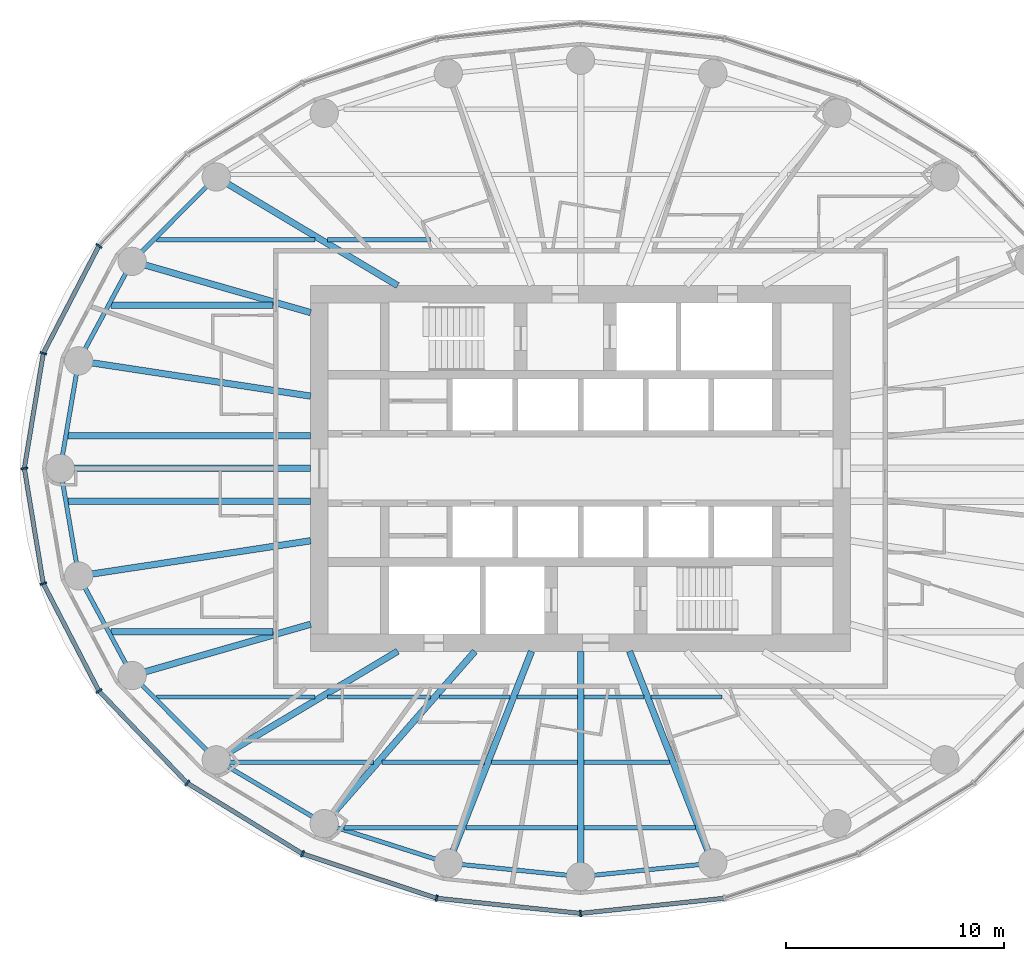
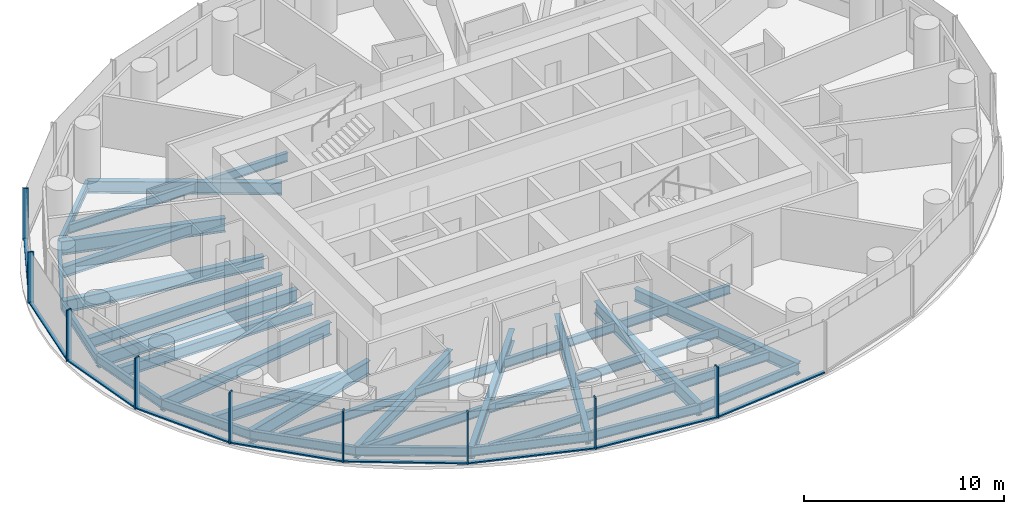
# One storey, part 2 of 13: 40 beams, 18 members, 3 elements without a shape of their own.
"""IFC4 building model written with IfcOpenShell, lengths in metres."""

from ifc_helpers import new_model, si_unit, direction, frame, origin, origin_2d, place, context, subcontext, project, spatial, rectangle, i_section, extrude, material, material_profile, profile_set, type_object, element, aggregate, save


model = new_model("IFC4")

# Units and contexts
model_context = context("Model", 3, precision=1e-05, world=origin(), true_north=direction((0.0, 1.0)))
body_context = subcontext(model_context, "Body", "Model", "MODEL_VIEW")
ifc_project = project(units=[si_unit("LENGTHUNIT", "METRE"), si_unit("AREAUNIT", "SQUARE_METRE"), si_unit("VOLUMEUNIT", "CUBIC_METRE"), si_unit("PLANEANGLEUNIT", "RADIAN"), si_unit("MASSUNIT", "GRAM", prefix="KILO")], contexts=[model_context])

# Site, building, storey
site_placement = place(None, origin())
site = spatial("IfcSite", under=ifc_project, at=site_placement, CompositionType="ELEMENT")
building_placement = place(site_placement, origin())
building = spatial("IfcBuilding", under=site, at=building_placement, Name="Hankou Lantern Tower", CompositionType="ELEMENT")
storey_placement = place(building_placement, frame((0.0, 0.0, 118.800048828125)))
storey = spatial("IfcBuildingStorey", under=building, at=storey_placement, Name="L30", CompositionType="ELEMENT", Elevation=118.800048828125)

# Beams
ifc_material_1 = material(Name="Steel Q355B", Category="steel")
ifc_material_profile_1 = material_profile(ifc_material_1, i_section(OverallWidth=0.199951171875, OverallDepth=0.550048828125, WebThickness=0.010009765625, FlangeThickness=0.01611328125, FilletRadius=0.012939453125, at=origin_2d()), Name="HN550x200x10x16")
ifc_profile_set_1 = profile_set([ifc_material_profile_1], Name="Steel Q355B")
beam_type_1 = type_object("IfcBeamType", Name="EB6 RING BEAM HN550x200x10x16", PredefinedType="SPANDREL", material=ifc_profile_set_1)
beam_1_placement = place(storey_placement, frame((-16.73388671875, 13.38720703125, -0.455078125), z_axis=(-0.705945468625, -0.708266189599, 0.0), x_axis=(0.708266189599, -0.705945468625, 0.0)))
element("IfcBeam", 1, at=beam_1_placement, inside=storey, type_object=beam_type_1, Name="Ring beam R10-R11 L30", PredefinedType="SPANDREL", context=body_context, shape_type="SweptSolid", body=[
    extrude(i_section(OverallWidth=0.199951171875, OverallDepth=0.550048828125, WebThickness=0.010009765625, FlangeThickness=0.01611328125, FilletRadius=0.012939453125, at=origin_2d()), origin(), (0.0, 0.0, 1.0), 5.470458984375),
])
beam_2_placement = place(storey_placement, frame((-20.595703125, 9.5126953125, -0.455078125), z_axis=(-0.473824901673, -0.880619079145, 0.0), x_axis=(0.880619079145, -0.473824901673, 0.0)))
element("IfcBeam", 2, at=beam_2_placement, inside=storey, type_object=beam_type_1, Name="Ring beam R11-R12 L30", PredefinedType="SPANDREL", context=body_context, shape_type="SweptSolid", body=[
    extrude(i_section(OverallWidth=0.199951171875, OverallDepth=0.550048828125, WebThickness=0.010009765625, FlangeThickness=0.01611328125, FilletRadius=0.012939453125, at=origin_2d()), origin(), (0.0, 0.0, 1.0), 5.190185546875),
])
for number, where, z_axis, x_axis, name in (
    (3, (-23.054931640625, 4.942138671875, -0.455078125), (-0.168527258545, -0.985696993567, 0.0), (0.985696993567, -0.168527258545, 0.0), "Ring beam R12-R13 L30"),
    (4, (-23.89990234375, 0.0, -0.455078125), (0.168527258545, -0.985696993567, 0.0), (0.985696993567, 0.168527258545, 0.0), "Ring beam R13-R14 L30"),
):
    element("IfcBeam", number, at=place(storey_placement, frame(where, z_axis=z_axis, x_axis=x_axis)), inside=storey, type_object=beam_type_1, Name=name, PredefinedType="SPANDREL", context=body_context, shape_type="SweptSolid", body=[
        extrude(i_section(OverallWidth=0.199951171875, OverallDepth=0.550048828125, WebThickness=0.010009765625, FlangeThickness=0.01611328125, FilletRadius=0.012939453125, at=origin_2d()), origin(), (0.0, 0.0, 1.0), 5.013916015625),
    ])
beam_3_placement = place(storey_placement, frame((-23.054931640625, -4.942138671875, -0.455078125), z_axis=(0.473824901673, -0.880619079145, 0.0), x_axis=(0.880619079145, 0.473824901673, 0.0)))
element("IfcBeam", 5, at=beam_3_placement, inside=storey, type_object=beam_type_1, Name="Ring beam R14-R15 L30", PredefinedType="SPANDREL", context=body_context, shape_type="SweptSolid", body=[
    extrude(i_section(OverallWidth=0.199951171875, OverallDepth=0.550048828125, WebThickness=0.010009765625, FlangeThickness=0.01611328125, FilletRadius=0.012939453125, at=origin_2d()), origin(), (0.0, 0.0, 1.0), 5.190185546875),
])
beam_4_placement = place(storey_placement, frame((-20.595703125, -9.5126953125, -0.455078125), z_axis=(0.705945468625, -0.708266189599, 0.0), x_axis=(0.708266189599, 0.705945468625, 0.0)))
element("IfcBeam", 6, at=beam_4_placement, inside=storey, type_object=beam_type_1, Name="Ring beam R15-R16 L30", PredefinedType="SPANDREL", context=body_context, shape_type="SweptSolid", body=[
    extrude(i_section(OverallWidth=0.199951171875, OverallDepth=0.550048828125, WebThickness=0.010009765625, FlangeThickness=0.01611328125, FilletRadius=0.012939453125, at=origin_2d()), origin(), (0.0, 0.0, 1.0), 5.470458984375),
])
beam_5_placement = place(storey_placement, frame((-16.73388671875, -13.38720703125, -0.455078125), z_axis=(0.860988974188, -0.508623619513, 0.0), x_axis=(0.508623619513, 0.860988974188, 0.0)))
element("IfcBeam", 7, at=beam_5_placement, inside=storey, type_object=beam_type_1, Name="Ring beam R16-R17 L30", PredefinedType="SPANDREL", context=body_context, shape_type="SweptSolid", body=[
    extrude(i_section(OverallWidth=0.199951171875, OverallDepth=0.550048828125, WebThickness=0.010009765625, FlangeThickness=0.01611328125, FilletRadius=0.012939453125, at=origin_2d()), origin(), (0.0, 0.0, 1.0), 5.759033203125),
])
beam_6_placement = place(storey_placement, frame((-11.775390625, -16.31640625, -0.455078125), z_axis=(0.952731090451, -0.303814860215, 0.0), x_axis=(0.303814860215, 0.952731090451, 0.0)))
element("IfcBeam", 8, at=beam_6_placement, inside=storey, type_object=beam_type_1, Name="Ring beam R17-R18 L30", PredefinedType="SPANDREL", context=body_context, shape_type="SweptSolid", body=[
    extrude(i_section(OverallWidth=0.199951171875, OverallDepth=0.550048828125, WebThickness=0.010009765625, FlangeThickness=0.01611328125, FilletRadius=0.012939453125, at=origin_2d()), origin(), (0.0, 0.0, 1.0), 5.984375),
])
for number, where, z_axis, x_axis, name in (
    (9, (-6.073974609375, -18.134521484375, -0.455078125), (0.994905271594, -0.100814188259, 0.0), (0.100814188259, 0.994905271594, 0.0), "Ring beam R18-R19 L30"),
    (10, (0.0, -18.75, -0.455078125), (0.994905271594, 0.100814188259, 0.0), (-0.100814188259, 0.994905271594, 0.0), "Ring beam R19-R20 L30"),
):
    element("IfcBeam", number, at=place(storey_placement, frame(where, z_axis=z_axis, x_axis=x_axis)), inside=storey, type_object=beam_type_1, Name=name, PredefinedType="SPANDREL", context=body_context, shape_type="SweptSolid", body=[
        extrude(i_section(OverallWidth=0.199951171875, OverallDepth=0.550048828125, WebThickness=0.010009765625, FlangeThickness=0.01611328125, FilletRadius=0.012939453125, at=origin_2d()), origin(), (0.0, 0.0, 1.0), 6.10498046875),
    ])

# Curtain wall, members
ifc_material_2 = material(Name="Glass, dark grey tinted laminated", Category="glass")
curtain_wall_type = type_object("IfcCurtainWallType", Name="CWB OUTER SKIN MID-RISE", PredefinedType="USERDEFINED", material=ifc_material_2)
curtain_wall_1_placement = place(storey_placement, origin())
curtain_wall_1 = element("IfcCurtainWall", 11, at=curtain_wall_1_placement, inside=storey, type_object=curtain_wall_type, Name="CWB L30 OS2", ObjectType="OUTER SKIN MID-RISE", PredefinedType="USERDEFINED")
ifc_material_3 = material(Name="Aluminium, black anodised", Category="aluminium")
ifc_material_profile_2 = material_profile(ifc_material_3, rectangle(XDim=0.080078125, YDim=0.300048828125, at=origin_2d()), Name="MU1 80X300")
ifc_profile_set_2 = profile_set([ifc_material_profile_2], Name="Aluminium, black anodised")
member_type_1 = type_object("IfcMemberType", Name="MU1 OUTER SKIN MULLION 80X300", PredefinedType="MULLION", material=ifc_profile_set_2)
member_1_placement = place(storey_placement, frame((-22.126953125, 10.219970703125, 0.0), z_axis=(0.0, 0.0, 1.0), x_axis=(-0.585205735974, -0.810884854084, 0.0)))
member_1 = element("IfcMember", 12, at=member_1_placement, type_object=member_type_1, Name="CWB mullion 5", PredefinedType="MULLION", context=body_context, shape_type="SweptSolid", body=[
    extrude(rectangle(XDim=0.080078125, YDim=0.300048828125, at=origin_2d()), origin(), (0.0, 0.0, 1.0), 3.119873046875),
])
member_2_placement = place(storey_placement, frame((-24.679443359375, 5.290283203125, 0.0), z_axis=(0.0, 0.0, 1.0), x_axis=(-0.317595577365, -0.94822626479, 0.0)))
member_2 = element("IfcMember", 13, at=member_2_placement, type_object=member_type_1, Name="CWB mullion 6", PredefinedType="MULLION", context=body_context, shape_type="SweptSolid", body=[
    extrude(rectangle(XDim=0.080078125, YDim=0.300048828125, at=origin_2d()), origin(), (0.0, 0.0, 1.0), 3.119873046875),
])

curtain_wall_2_placement = place(storey_placement, origin())
curtain_wall_2 = element("IfcCurtainWall", 14, at=curtain_wall_2_placement, inside=storey, type_object=curtain_wall_type, Name="CWB L30 OS3", ObjectType="OUTER SKIN MID-RISE", PredefinedType="USERDEFINED")
member_3_placement = place(storey_placement, frame((-25.550048828125, 0.0, 0.0), z_axis=(0.0, 0.0, 1.0), x_axis=(0.162381515188, -0.986728049427, 0.0)))
member_3 = element("IfcMember", 15, at=member_3_placement, type_object=member_type_1, Name="CWB mullion 1", PredefinedType="MULLION", context=body_context, shape_type="SweptSolid", body=[
    extrude(rectangle(XDim=0.080078125, YDim=0.300048828125, at=origin_2d()), origin(), (0.0, 0.0, 1.0), 3.119873046875),
])
member_4_placement = place(storey_placement, frame((-24.679443359375, -5.290283203125, 0.0), z_axis=(0.0, 0.0, 1.0), x_axis=(0.317595577365, -0.94822626479, 0.0)))
member_4 = element("IfcMember", 16, at=member_4_placement, type_object=member_type_1, Name="CWB mullion 2", PredefinedType="MULLION", context=body_context, shape_type="SweptSolid", body=[
    extrude(rectangle(XDim=0.080078125, YDim=0.300048828125, at=origin_2d()), origin(), (0.0, 0.0, 1.0), 3.119873046875),
])
member_5_placement = place(storey_placement, frame((-22.126953125, -10.219970703125, 0.0), z_axis=(0.0, 0.0, 1.0), x_axis=(0.585205735974, -0.810884854084, 0.0)))
member_5 = element("IfcMember", 17, at=member_5_placement, type_object=member_type_1, Name="CWB mullion 3", PredefinedType="MULLION", context=body_context, shape_type="SweptSolid", body=[
    extrude(rectangle(XDim=0.080078125, YDim=0.300048828125, at=origin_2d()), origin(), (0.0, 0.0, 1.0), 3.119873046875),
])
member_6_placement = place(storey_placement, frame((-18.066650390625, -14.453369140625, 0.0), z_axis=(0.0, 0.0, 1.0), x_axis=(0.780868809444, -0.624695047553, 0.0)))
member_6 = element("IfcMember", 18, at=member_6_placement, type_object=member_type_1, Name="CWB mullion 4", PredefinedType="MULLION", context=body_context, shape_type="SweptSolid", body=[
    extrude(rectangle(XDim=0.080078125, YDim=0.300048828125, at=origin_2d()), origin(), (0.0, 0.0, 1.0), 3.119873046875),
])
member_7_placement = place(storey_placement, frame((-12.77490234375, -17.70166015625, 0.0), z_axis=(0.0, 0.0, 1.0), x_axis=(0.907841299004, -0.419313934686, 0.0)))
member_7 = element("IfcMember", 19, at=member_7_placement, type_object=member_type_1, Name="CWB mullion 5", PredefinedType="MULLION", context=body_context, shape_type="SweptSolid", body=[
    extrude(rectangle(XDim=0.080078125, YDim=0.300048828125, at=origin_2d()), origin(), (0.0, 0.0, 1.0), 3.119873046875),
])
member_8_placement = place(storey_placement, frame((-6.61279296875, -19.743408203125, 0.0), z_axis=(0.0, 0.0, 1.0), x_axis=(0.977787659625, -0.209597931016, 0.0)))
member_8 = element("IfcMember", 20, at=member_8_placement, type_object=member_type_1, Name="CWB mullion 6", PredefinedType="MULLION", context=body_context, shape_type="SweptSolid", body=[
    extrude(rectangle(XDim=0.080078125, YDim=0.300048828125, at=origin_2d()), origin(), (0.0, 0.0, 1.0), 3.119873046875),
])

# Curtain wall, member
curtain_wall_3_placement = place(storey_placement, origin())
curtain_wall_3 = element("IfcCurtainWall", 21, at=curtain_wall_3_placement, inside=storey, type_object=curtain_wall_type, Name="CWB L30 OS4", ObjectType="OUTER SKIN MID-RISE", PredefinedType="USERDEFINED")
member_9_placement = place(storey_placement, frame((0.0, -20.43994140625, 0.0), z_axis=(0.0, 0.0, 1.0), x_axis=(0.994499359107, 0.104742659579, 0.0)))
member_9 = element("IfcMember", 22, at=member_9_placement, type_object=member_type_1, Name="CWB mullion 1", PredefinedType="MULLION", context=body_context, shape_type="SweptSolid", body=[
    extrude(rectangle(XDim=0.080078125, YDim=0.300048828125, at=origin_2d()), origin(), (0.0, 0.0, 1.0), 3.119873046875),
])

# Beams
ifc_material_4 = material(Name="Steel Q355B", Category="steel")
ifc_material_profile_3 = material_profile(ifc_material_4, i_section(OverallWidth=0.300048828125, OverallDepth=0.75, WebThickness=0.012939453125, FlangeThickness=0.02392578125, FilletRadius=0.01806640625, at=origin_2d()), Name="HN750x300x13x24")
ifc_profile_set_3 = profile_set([ifc_material_profile_3], Name="Steel Q355B")
beam_type_2 = type_object("IfcBeamType", Name="RB10 RADIAL BEAM HN750x300x13x24", PredefinedType="BEAM", material=ifc_profile_set_3)
beam_7_placement = place(storey_placement, frame((-8.39990234375, 8.39990234375, -0.554931640625), z_axis=(-0.858086776551, 0.513504706802, 0.0), x_axis=(-0.513504706802, -0.858086776551, 0.0)))
element("IfcBeam", 23, at=beam_7_placement, inside=storey, type_object=beam_type_2, Name="Radial beam R10 L30", PredefinedType="BEAM", context=body_context, shape_type="SweptSolid", body=[
    extrude(i_section(OverallWidth=0.300048828125, OverallDepth=0.75, WebThickness=0.012939453125, FlangeThickness=0.02392578125, FilletRadius=0.01806640625, at=origin_2d()), origin(), (0.0, 0.0, 1.0), 9.71240234375),
])
for number, where, z_axis, x_axis, name in (
    (24, (-12.39990234375, 3.322509765625, -0.554931640625), (-0.988643506875, 0.150279793429, 0.0), (-0.150279793429, -0.988643506875, 0.0), "Radial beam R12 L30"),
    (25, (-12.39990234375, -3.322509765625, -0.554931640625), (-0.988643506875, -0.150279793429, 0.0), (0.150279793429, -0.988643506875, 0.0), "Radial beam R14 L30"),
):
    element("IfcBeam", number, at=place(storey_placement, frame(where, z_axis=z_axis, x_axis=x_axis)), inside=storey, type_object=beam_type_2, Name=name, PredefinedType="BEAM", context=body_context, shape_type="SweptSolid", body=[
        extrude(i_section(OverallWidth=0.300048828125, OverallDepth=0.75, WebThickness=0.012939453125, FlangeThickness=0.02392578125, FilletRadius=0.01806640625, at=origin_2d()), origin(), (0.0, 0.0, 1.0), 10.77734375),
    ])
beam_8_placement = place(storey_placement, frame((-8.39990234375, -8.39990234375, -0.554931640625), z_axis=(-0.858086776551, -0.513504706802, 0.0), x_axis=(0.513504706802, -0.858086776551, 0.0)))
element("IfcBeam", 26, at=beam_8_placement, inside=storey, type_object=beam_type_2, Name="Radial beam R16 L30", PredefinedType="BEAM", context=body_context, shape_type="SweptSolid", body=[
    extrude(i_section(OverallWidth=0.300048828125, OverallDepth=0.75, WebThickness=0.012939453125, FlangeThickness=0.02392578125, FilletRadius=0.01806640625, at=origin_2d()), origin(), (0.0, 0.0, 1.0), 9.71240234375),
])
beam_9_placement = place(storey_placement, frame((-4.849853515625, -8.39990234375, -0.554931640625), z_axis=(-0.658429014446, -0.752642832249, 0.0), x_axis=(0.752642832249, -0.658429014446, 0.0)))
element("IfcBeam", 27, at=beam_9_placement, inside=storey, type_object=beam_type_2, Name="Radial beam R17 L30", PredefinedType="BEAM", context=body_context, shape_type="SweptSolid", body=[
    extrude(i_section(OverallWidth=0.300048828125, OverallDepth=0.75, WebThickness=0.012939453125, FlangeThickness=0.02392578125, FilletRadius=0.01806640625, at=origin_2d()), origin(), (0.0, 0.0, 1.0), 10.518310546875),
])
beam_10_placement = place(storey_placement, frame((-2.250732421875, -8.39990234375, -0.554931640625), z_axis=(-0.365563535437, -0.930786388791, 0.0), x_axis=(0.930786388791, -0.365563535437, 0.0)))
element("IfcBeam", 28, at=beam_10_placement, inside=storey, type_object=beam_type_2, Name="Radial beam R18 L30", PredefinedType="BEAM", context=body_context, shape_type="SweptSolid", body=[
    extrude(i_section(OverallWidth=0.300048828125, OverallDepth=0.75, WebThickness=0.012939453125, FlangeThickness=0.02392578125, FilletRadius=0.01806640625, at=origin_2d()), origin(), (0.0, 0.0, 1.0), 10.45849609375),
])
beam_11_placement = place(storey_placement, frame((0.0, -8.39990234375, -0.554931640625), z_axis=(0.0, -1.0, 0.0), x_axis=(1.0, 0.0, 0.0)))
element("IfcBeam", 29, at=beam_11_placement, inside=storey, type_object=beam_type_2, Name="Radial beam R19 L30", PredefinedType="BEAM", context=body_context, shape_type="SweptSolid", body=[
    extrude(i_section(OverallWidth=0.300048828125, OverallDepth=0.75, WebThickness=0.012939453125, FlangeThickness=0.02392578125, FilletRadius=0.01806640625, at=origin_2d()), origin(), (0.0, 0.0, 1.0), 10.35009765625),
])
beam_12_placement = place(storey_placement, frame((2.250732421875, -8.39990234375, -0.554931640625), z_axis=(0.365563535437, -0.930786388791, 0.0), x_axis=(0.930786388791, 0.365563535437, 0.0)))
element("IfcBeam", 30, at=beam_12_placement, inside=storey, type_object=beam_type_2, Name="Radial beam R20 L30", PredefinedType="BEAM", context=body_context, shape_type="SweptSolid", body=[
    extrude(i_section(OverallWidth=0.300048828125, OverallDepth=0.75, WebThickness=0.012939453125, FlangeThickness=0.02392578125, FilletRadius=0.01806640625, at=origin_2d()), origin(), (0.0, 0.0, 1.0), 10.45849609375),
])
ifc_material_5 = material(Name="Steel Q355B", Category="steel")
ifc_material_profile_4 = material_profile(ifc_material_5, i_section(OverallWidth=0.300048828125, OverallDepth=0.800048828125, WebThickness=0.013916015625, FlangeThickness=0.02587890625, FilletRadius=0.01806640625, at=origin_2d()), Name="HN800x300x14x26")
ifc_profile_set_4 = profile_set([ifc_material_profile_4], Name="Steel Q355B")
beam_type_3 = type_object("IfcBeamType", Name="RB11 RADIAL BEAM HN800x300x14x26", PredefinedType="BEAM", material=ifc_profile_set_4)
beam_13_placement = place(storey_placement, frame((-12.39990234375, 0.0, -0.580078125), z_axis=(-1.0, 0.0, 0.0), x_axis=(0.0, -1.0, 0.0)))
element("IfcBeam", 31, at=beam_13_placement, inside=storey, type_object=beam_type_3, Name="Radial beam R13 L30", PredefinedType="BEAM", context=body_context, shape_type="SweptSolid", body=[
    extrude(i_section(OverallWidth=0.300048828125, OverallDepth=0.800048828125, WebThickness=0.013916015625, FlangeThickness=0.02587890625, FilletRadius=0.01806640625, at=origin_2d()), origin(), (0.0, 0.0, 1.0), 11.5),
])
ifc_material_6 = material(Name="Steel Q355B", Category="steel")
ifc_material_profile_5 = material_profile(ifc_material_6, i_section(OverallWidth=0.300048828125, OverallDepth=0.85009765625, WebThickness=0.01611328125, FlangeThickness=0.027099609375, FilletRadius=0.01806640625, at=origin_2d()), Name="HN850x300x16x27")
ifc_profile_set_5 = profile_set([ifc_material_profile_5], Name="Steel Q355B")
beam_type_4 = type_object("IfcBeamType", Name="RB12 RADIAL BEAM HN850x300x16x27", PredefinedType="BEAM", material=ifc_profile_set_5)
for number, where, z_axis, x_axis, name in (
    (32, (-12.39990234375, 7.1591796875, -0.60498046875), (-0.961155741911, 0.276006593745, 0.0), (-0.276006593745, -0.961155741911, 0.0), "Radial beam R11 L30"),
    (33, (-12.39990234375, -7.1591796875, -0.60498046875), (-0.961155741911, -0.276006593745, 0.0), (0.276006593745, -0.961155741911, 0.0), "Radial beam R15 L30"),
):
    element("IfcBeam", number, at=place(storey_placement, frame(where, z_axis=z_axis, x_axis=x_axis)), inside=storey, type_object=beam_type_4, Name=name, PredefinedType="BEAM", context=body_context, shape_type="SweptSolid", body=[
        extrude(i_section(OverallWidth=0.300048828125, OverallDepth=0.85009765625, WebThickness=0.01611328125, FlangeThickness=0.027099609375, FilletRadius=0.01806640625, at=origin_2d()), origin(), (0.0, 0.0, 1.0), 8.527099609375),
    ])
ifc_material_7 = material(Name="Steel Q355B", Category="steel")
ifc_material_profile_6 = material_profile(ifc_material_7, i_section(OverallWidth=0.199951171875, OverallDepth=0.550048828125, WebThickness=0.010009765625, FlangeThickness=0.01611328125, FilletRadius=0.012939453125, at=origin_2d()), Name="HN550x200x10x16")
ifc_profile_set_6 = profile_set([ifc_material_profile_6], Name="Steel Q355B")
beam_type_5 = type_object("IfcBeamType", Name="SB6 SECONDARY BEAM HN550x200x10x16", PredefinedType="JOIST", material=ifc_profile_set_6)
beam_14_placement = place(storey_placement, frame((-10.8701171875, -16.5, -0.455078125), z_axis=(1.0, 0.0, 0.0), x_axis=(0.0, 1.0, 0.0)))
element("IfcBeam", 34, at=beam_14_placement, inside=storey, type_object=beam_type_5, Name="Floor joist J001 L30", PredefinedType="JOIST", context=body_context, shape_type="SweptSolid", body=[
    extrude(i_section(OverallWidth=0.199951171875, OverallDepth=0.550048828125, WebThickness=0.010009765625, FlangeThickness=0.01611328125, FilletRadius=0.012939453125, at=origin_2d()), origin(), (0.0, 0.0, 1.0), 5.27685546875),
])
for number, where, z_axis, x_axis, name in (
    (35, (-5.270751953125, -16.5, -0.455078125), (1.0, 0.0, 0.0), (0.0, 1.0, 0.0), "Floor joist J002 L30"),
    (36, (0.14990234375, -16.5, -0.455078125), (1.0, 0.0, 0.0), (0.0, 1.0, 0.0), "Floor joist J003 L30"),
):
    element("IfcBeam", number, at=place(storey_placement, frame(where, z_axis=z_axis, x_axis=x_axis)), inside=storey, type_object=beam_type_5, Name=name, PredefinedType="JOIST", context=body_context, shape_type="SweptSolid", body=[
        extrude(i_section(OverallWidth=0.199951171875, OverallDepth=0.550048828125, WebThickness=0.010009765625, FlangeThickness=0.01611328125, FilletRadius=0.012939453125, at=origin_2d()), origin(), (0.0, 0.0, 1.0), 5.120849609375),
    ])
beam_15_placement = place(storey_placement, frame((-16.34619140625, -13.5, -0.455078125), z_axis=(1.0, 0.0, 0.0), x_axis=(0.0, 1.0, 0.0)))
element("IfcBeam", 37, at=beam_15_placement, inside=storey, type_object=beam_type_5, Name="Floor joist J005 L30", PredefinedType="JOIST", context=body_context, shape_type="SweptSolid", body=[
    extrude(i_section(OverallWidth=0.199951171875, OverallDepth=0.550048828125, WebThickness=0.010009765625, FlangeThickness=0.01611328125, FilletRadius=0.012939453125, at=origin_2d()), origin(), (0.0, 0.0, 1.0), 6.83544921875),
])
beam_16_placement = place(storey_placement, frame((-9.112060546875, -13.5, -0.455078125), z_axis=(1.0, 0.0, 0.0), x_axis=(0.0, 1.0, 0.0)))
element("IfcBeam", 38, at=beam_16_placement, inside=storey, type_object=beam_type_5, Name="Floor joist J006 L30", PredefinedType="JOIST", context=body_context, shape_type="SweptSolid", body=[
    extrude(i_section(OverallWidth=0.199951171875, OverallDepth=0.550048828125, WebThickness=0.010009765625, FlangeThickness=0.01611328125, FilletRadius=0.012939453125, at=origin_2d()), origin(), (0.0, 0.0, 1.0), 4.697021484375),
])
for number, where, z_axis, x_axis, name in (
    (39, (-4.092529296875, -13.5, -0.455078125), (1.0, 0.0, 0.0), (0.0, 1.0, 0.0), "Floor joist J007 L30"),
    (40, (0.14990234375, -13.5, -0.455078125), (1.0, 0.0, 0.0), (0.0, 1.0, 0.0), "Floor joist J008 L30"),
):
    element("IfcBeam", number, at=place(storey_placement, frame(where, z_axis=z_axis, x_axis=x_axis)), inside=storey, type_object=beam_type_5, Name=name, PredefinedType="JOIST", context=body_context, shape_type="SweptSolid", body=[
        extrude(i_section(OverallWidth=0.199951171875, OverallDepth=0.550048828125, WebThickness=0.010009765625, FlangeThickness=0.01611328125, FilletRadius=0.012939453125, at=origin_2d()), origin(), (0.0, 0.0, 1.0), 3.942626953125),
    ])
beam_17_placement = place(storey_placement, frame((-19.470458984375, -10.5, -0.455078125), z_axis=(1.0, 0.0, 0.0), x_axis=(0.0, 1.0, 0.0)))
element("IfcBeam", 41, at=beam_17_placement, inside=storey, type_object=beam_type_5, Name="Floor joist J011 L30", PredefinedType="JOIST", context=body_context, shape_type="SweptSolid", body=[
    extrude(i_section(OverallWidth=0.199951171875, OverallDepth=0.550048828125, WebThickness=0.010009765625, FlangeThickness=0.01611328125, FilletRadius=0.012939453125, at=origin_2d()), origin(), (0.0, 0.0, 1.0), 7.26904296875),
])
beam_18_placement = place(storey_placement, frame((-11.6171875, -10.5, -0.455078125), z_axis=(1.0, 0.0, 0.0), x_axis=(0.0, 1.0, 0.0)))
element("IfcBeam", 42, at=beam_18_placement, inside=storey, type_object=beam_type_5, Name="Floor joist J012 L30", PredefinedType="JOIST", context=body_context, shape_type="SweptSolid", body=[
    extrude(i_section(OverallWidth=0.199951171875, OverallDepth=0.550048828125, WebThickness=0.010009765625, FlangeThickness=0.01611328125, FilletRadius=0.012939453125, at=origin_2d()), origin(), (0.0, 0.0, 1.0), 4.73095703125),
])
beam_19_placement = place(storey_placement, frame((-6.487548828125, -10.5, -0.455078125), z_axis=(1.0, 0.0, 0.0), x_axis=(0.0, 1.0, 0.0)))
element("IfcBeam", 43, at=beam_19_placement, inside=storey, type_object=beam_type_5, Name="Floor joist J013 L30", PredefinedType="JOIST", context=body_context, shape_type="SweptSolid", body=[
    extrude(i_section(OverallWidth=0.199951171875, OverallDepth=0.550048828125, WebThickness=0.010009765625, FlangeThickness=0.01611328125, FilletRadius=0.012939453125, at=origin_2d()), origin(), (0.0, 0.0, 1.0), 3.2509765625),
])
for number, where, z_axis, x_axis, name in (
    (44, (-2.914306640625, -10.5, -0.455078125), (1.0, 0.0, 0.0), (0.0, 1.0, 0.0), "Floor joist J014 L30"),
    (45, (0.14990234375, -10.5, -0.455078125), (1.0, 0.0, 0.0), (0.0, 1.0, 0.0), "Floor joist J015 L30"),
):
    element("IfcBeam", number, at=place(storey_placement, frame(where, z_axis=z_axis, x_axis=x_axis)), inside=storey, type_object=beam_type_5, Name=name, PredefinedType="JOIST", context=body_context, shape_type="SweptSolid", body=[
        extrude(i_section(OverallWidth=0.199951171875, OverallDepth=0.550048828125, WebThickness=0.010009765625, FlangeThickness=0.01611328125, FilletRadius=0.012939453125, at=origin_2d()), origin(), (0.0, 0.0, 1.0), 2.764404296875),
    ])
beam_20_placement = place(storey_placement, frame((3.236572265625, -10.5, -0.455078125), z_axis=(1.0, 0.0, 0.0), x_axis=(0.0, 1.0, 0.0)))
element("IfcBeam", 46, at=beam_20_placement, inside=storey, type_object=beam_type_5, Name="Floor joist J016 L30", PredefinedType="JOIST", context=body_context, shape_type="SweptSolid", body=[
    extrude(i_section(OverallWidth=0.199951171875, OverallDepth=0.550048828125, WebThickness=0.010009765625, FlangeThickness=0.01611328125, FilletRadius=0.012939453125, at=origin_2d()), origin(), (0.0, 0.0, 1.0), 3.2509765625),
])
beam_21_placement = place(storey_placement, frame((-19.470458984375, 10.5, -0.455078125), z_axis=(1.0, 0.0, 0.0), x_axis=(0.0, 1.0, 0.0)))
element("IfcBeam", 47, at=beam_21_placement, inside=storey, type_object=beam_type_5, Name="Floor joist J035 L30", PredefinedType="JOIST", context=body_context, shape_type="SweptSolid", body=[
    extrude(i_section(OverallWidth=0.199951171875, OverallDepth=0.550048828125, WebThickness=0.010009765625, FlangeThickness=0.01611328125, FilletRadius=0.012939453125, at=origin_2d()), origin(), (0.0, 0.0, 1.0), 7.26904296875),
])
beam_22_placement = place(storey_placement, frame((-11.6171875, 10.5, -0.455078125), z_axis=(1.0, 0.0, 0.0), x_axis=(0.0, 1.0, 0.0)))
element("IfcBeam", 48, at=beam_22_placement, inside=storey, type_object=beam_type_5, Name="Floor joist J036 L30", PredefinedType="JOIST", context=body_context, shape_type="SweptSolid", body=[
    extrude(i_section(OverallWidth=0.199951171875, OverallDepth=0.550048828125, WebThickness=0.010009765625, FlangeThickness=0.01611328125, FilletRadius=0.012939453125, at=origin_2d()), origin(), (0.0, 0.0, 1.0), 4.73095703125),
])
ifc_material_8 = material(Name="Steel Q355B", Category="steel")
ifc_material_profile_7 = material_profile(ifc_material_8, i_section(OverallWidth=0.300048828125, OverallDepth=0.64990234375, WebThickness=0.010986328125, FlangeThickness=0.01708984375, FilletRadius=0.01806640625, at=origin_2d()), Name="HN650x300x11x17")
ifc_profile_set_7 = profile_set([ifc_material_profile_7], Name="Steel Q355B")
beam_type_6 = type_object("IfcBeamType", Name="SB8 SECONDARY BEAM HN650x300x11x17", PredefinedType="JOIST", material=ifc_profile_set_7)
beam_23_placement = place(storey_placement, frame((-21.56494140625, -7.5, -0.505126953125), z_axis=(1.0, 0.0, 0.0), x_axis=(0.0, 1.0, 0.0)))
element("IfcBeam", 49, at=beam_23_placement, inside=storey, type_object=beam_type_6, Name="Floor joist J019 L30", PredefinedType="JOIST", context=body_context, shape_type="SweptSolid", body=[
    extrude(i_section(OverallWidth=0.300048828125, OverallDepth=0.64990234375, WebThickness=0.010986328125, FlangeThickness=0.01708984375, FilletRadius=0.01806640625, at=origin_2d()), origin(), (0.0, 0.0, 1.0), 7.4345703125),
])
for number, where, z_axis, x_axis, name in (
    (50, (-23.5419921875, -1.5, -0.505126953125), (1.0, 0.0, 0.0), (0.0, 1.0, 0.0), "Floor joist J025 L30"),
    (51, (-23.5419921875, 1.5, -0.505126953125), (1.0, 0.0, 0.0), (0.0, 1.0, 0.0), "Floor joist J027 L30"),
):
    element("IfcBeam", number, at=place(storey_placement, frame(where, z_axis=z_axis, x_axis=x_axis)), inside=storey, type_object=beam_type_6, Name=name, PredefinedType="JOIST", context=body_context, shape_type="SweptSolid", body=[
        extrude(i_section(OverallWidth=0.300048828125, OverallDepth=0.64990234375, WebThickness=0.010986328125, FlangeThickness=0.01708984375, FilletRadius=0.01806640625, at=origin_2d()), origin(), (0.0, 0.0, 1.0), 11.14208984375),
    ])
beam_24_placement = place(storey_placement, frame((-21.56494140625, 7.5, -0.505126953125), z_axis=(1.0, 0.0, 0.0), x_axis=(0.0, 1.0, 0.0)))
element("IfcBeam", 52, at=beam_24_placement, inside=storey, type_object=beam_type_6, Name="Floor joist J033 L30", PredefinedType="JOIST", context=body_context, shape_type="SweptSolid", body=[
    extrude(i_section(OverallWidth=0.300048828125, OverallDepth=0.64990234375, WebThickness=0.010986328125, FlangeThickness=0.01708984375, FilletRadius=0.01806640625, at=origin_2d()), origin(), (0.0, 0.0, 1.0), 7.4345703125),
])

# Member
ifc_material_9 = material(Name="Aluminium, black anodised", Category="aluminium")
ifc_material_profile_8 = material_profile(ifc_material_9, rectangle(XDim=0.199951171875, YDim=0.080078125, at=origin_2d()), Name="TR1 200X80")
ifc_profile_set_8 = profile_set([ifc_material_profile_8], Name="Aluminium, black anodised")
member_type_2 = type_object("IfcMemberType", Name="TR1 OUTER SKIN TRANSOM 200X80", PredefinedType="USERDEFINED", material=ifc_profile_set_8)
member_10_placement = place(storey_placement, frame((-22.145263671875, 10.1845703125, 0.0400390625), z_axis=(-0.459805240543, -0.888019786249, 0.0), x_axis=(0.888019786249, -0.459805240543, 0.0)))
member_10 = element("IfcMember", 53, at=member_10_placement, type_object=member_type_2, Name="CWB transom 5", ObjectType="TRANSOM", PredefinedType="USERDEFINED", context=body_context, shape_type="SweptSolid", body=[
    extrude(rectangle(XDim=0.199951171875, YDim=0.080078125, at=origin_2d()), origin(), (0.0, 0.0, 1.0), 5.4716796875),
])

member_11_placement = place(storey_placement, frame((-24.685791015625, 5.250732421875, 0.0400390625), z_axis=(-0.162397124076, -0.986725480614, 0.0), x_axis=(0.986725480614, -0.162397124076, 0.0)))
member_11 = element("IfcMember", 54, at=member_11_placement, type_object=member_type_2, Name="CWB transom 6", ObjectType="TRANSOM", PredefinedType="USERDEFINED", context=body_context, shape_type="SweptSolid", body=[
    extrude(rectangle(XDim=0.199951171875, YDim=0.080078125, at=origin_2d()), origin(), (0.0, 0.0, 1.0), 5.28125),
])

aggregate(curtain_wall_1, [member_1, member_2, member_10, member_11])

member_12_placement = place(storey_placement, frame((-25.54345703125, -0.03955078125, 0.0400390625), z_axis=(0.162397124076, -0.986725480614, 0.0), x_axis=(0.986725480614, 0.162397124076, 0.0)))
member_12 = element("IfcMember", 55, at=member_12_placement, type_object=member_type_2, Name="CWB transom 1", ObjectType="TRANSOM", PredefinedType="USERDEFINED", context=body_context, shape_type="SweptSolid", body=[
    extrude(rectangle(XDim=0.199951171875, YDim=0.080078125, at=origin_2d()), origin(), (0.0, 0.0, 1.0), 5.28125),
])

member_13_placement = place(storey_placement, frame((-24.6611328125, -5.32568359375, 0.0400390625), z_axis=(0.459805240543, -0.888019786249, 0.0), x_axis=(0.888019786249, 0.459805240543, 0.0)))
member_13 = element("IfcMember", 56, at=member_13_placement, type_object=member_type_2, Name="CWB transom 2", ObjectType="TRANSOM", PredefinedType="USERDEFINED", context=body_context, shape_type="SweptSolid", body=[
    extrude(rectangle(XDim=0.199951171875, YDim=0.080078125, at=origin_2d()), origin(), (0.0, 0.0, 1.0), 5.4716796875),
])

member_14_placement = place(storey_placement, frame((-22.099365234375, -10.248779296875, 0.0400390625), z_axis=(0.692226977748, -0.721679853729, 0.0), x_axis=(0.721679853729, 0.692226977748, 0.0)))
member_14 = element("IfcMember", 57, at=member_14_placement, type_object=member_type_2, Name="CWB transom 3", ObjectType="TRANSOM", PredefinedType="USERDEFINED", context=body_context, shape_type="SweptSolid", body=[
    extrude(rectangle(XDim=0.199951171875, YDim=0.080078125, at=origin_2d()), origin(), (0.0, 0.0, 1.0), 5.785888671875),
])

member_15_placement = place(storey_placement, frame((-18.032470703125, -14.47412109375, 0.0400390625), z_axis=(0.852229492169, -0.523168130411, 0.0), x_axis=(0.523168130411, 0.852229492169, 0.0)))
member_15 = element("IfcMember", 58, at=member_15_placement, type_object=member_type_2, Name="CWB transom 4", ObjectType="TRANSOM", PredefinedType="USERDEFINED", context=body_context, shape_type="SweptSolid", body=[
    extrude(rectangle(XDim=0.199951171875, YDim=0.080078125, at=origin_2d()), origin(), (0.0, 0.0, 1.0), 6.129150390625),
])

member_16_placement = place(storey_placement, frame((-12.737060546875, -17.714111328125, 0.0400390625), z_axis=(0.949237765745, -0.314559476225, 0.0), x_axis=(0.314559476225, 0.949237765745, 0.0)))
member_16 = element("IfcMember", 59, at=member_16_placement, type_object=member_type_2, Name="CWB transom 5", ObjectType="TRANSOM", PredefinedType="USERDEFINED", context=body_context, shape_type="SweptSolid", body=[
    extrude(rectangle(XDim=0.199951171875, YDim=0.080078125, at=origin_2d()), origin(), (0.0, 0.0, 1.0), 6.41162109375),
])

member_17_placement = place(storey_placement, frame((-6.572998046875, -19.747802734375, 0.0400390625), z_axis=(0.994500972001, -0.10472734451, 0.0), x_axis=(0.10472734451, 0.994500972001, 0.0)))
member_17 = element("IfcMember", 60, at=member_17_placement, type_object=member_type_2, Name="CWB transom 6", ObjectType="TRANSOM", PredefinedType="USERDEFINED", context=body_context, shape_type="SweptSolid", body=[
    extrude(rectangle(XDim=0.199951171875, YDim=0.080078125, at=origin_2d()), origin(), (0.0, 0.0, 1.0), 6.5693359375),
])

aggregate(curtain_wall_2, [member_3, member_4, member_5, member_6, member_7, member_8, member_12, member_13, member_14, member_15, member_16, member_17])

member_18_placement = place(storey_placement, frame((0.039794921875, -20.435791015625, 0.0400390625), z_axis=(0.994500972001, 0.10472734451, 0.0), x_axis=(-0.10472734451, 0.994500972001, 0.0)))
member_18 = element("IfcMember", 61, at=member_18_placement, type_object=member_type_2, Name="CWB transom 1", ObjectType="TRANSOM", PredefinedType="USERDEFINED", context=body_context, shape_type="SweptSolid", body=[
    extrude(rectangle(XDim=0.199951171875, YDim=0.080078125, at=origin_2d()), origin(), (0.0, 0.0, 1.0), 6.5693359375),
])

aggregate(curtain_wall_3, [member_9, member_18])

save(model, "model.ifc")
